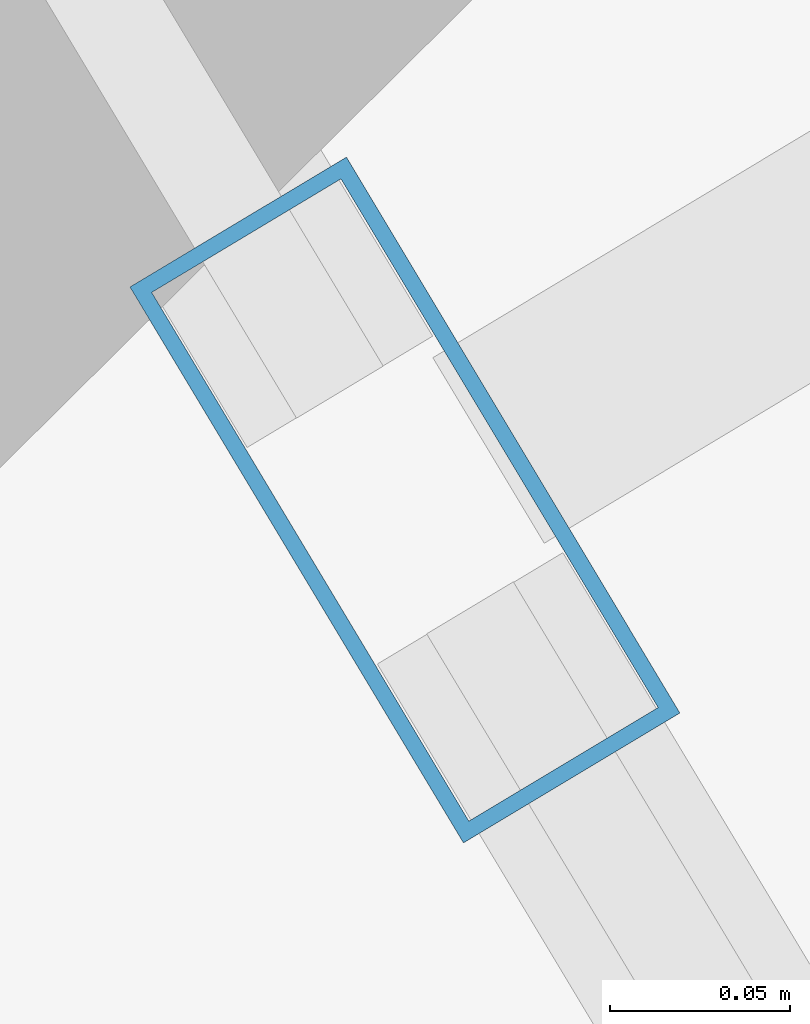
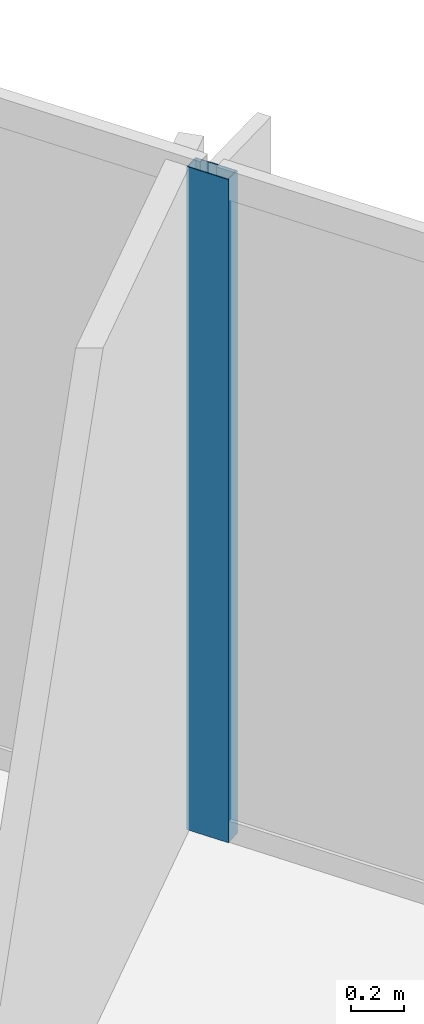
# One storey, part 19 of 35: 1 member, 1 element without a shape of its own.
"""IFC4 building model written with IfcOpenShell, lengths in metres."""

from ifc_helpers import new_model, si_unit, direction, frame, origin, origin_2d, place, context, subcontext, project, spatial, hollow_rectangle, extrude, material, layer, layer_set, material_profile, profile_set, type_object, element, aggregate, save


model = new_model("IFC4")

# Units and contexts
model_context = context("Model", 3, precision=1e-05, world=origin(), true_north=direction((0.0, 1.0)))
body_context = subcontext(model_context, "Body", "Model", "MODEL_VIEW")
ifc_project = project(units=[si_unit("LENGTHUNIT", "METRE"), si_unit("AREAUNIT", "SQUARE_METRE"), si_unit("VOLUMEUNIT", "CUBIC_METRE"), si_unit("PLANEANGLEUNIT", "RADIAN"), si_unit("MASSUNIT", "GRAM", prefix="KILO")], contexts=[model_context])

# Site, building, storey
site_placement = place(None, origin())
site = spatial("IfcSite", under=ifc_project, at=site_placement, CompositionType="ELEMENT")
building_placement = place(site_placement, origin())
building = spatial("IfcBuilding", under=site, at=building_placement, Name="Orvanel Arch Residences", CompositionType="ELEMENT")
storey_placement = place(building_placement, frame((0.0, 0.0, 30.199951171875)))
storey = spatial("IfcBuildingStorey", under=building, at=storey_placement, Name="L07", CompositionType="ELEMENT", Elevation=30.199951171875)

# Curtain wall, member
ifc_material = material(Name="Bronze-anodised aluminium AA6063-T6", Category="aluminium")
ifc_layer = layer(ifc_material, 0.179931640625)
ifc_layer_set = layer_set([ifc_layer], Name="Bronze-anodised aluminium AA6063-T6")
curtain_wall_type = type_object("IfcCurtainWallType", Name="CW2-LOW-SYS", PredefinedType="NOTDEFINED", material=ifc_layer_set)
curtain_wall_placement = place(storey_placement, origin())
curtain_wall = element("IfcCurtainWall", 1, at=curtain_wall_placement, inside=storey, type_object=curtain_wall_type, Name="L07 CW2-LOW-SYS Unitised Curtain Wall", PredefinedType="NOTDEFINED")
ifc_material_profile = material_profile(ifc_material, hollow_rectangle(XDim=0.070068359375, YDim=0.179931640625, WallThickness=0.00439453125, at=origin_2d()), Name="ALU180x70x4.5")
ifc_profile_set = profile_set([ifc_material_profile], Name="Bronze-anodised aluminium AA6063-T6")
member_type = type_object("IfcMemberType", Name="MUL-180x70", PredefinedType="MULLION", material=ifc_profile_set)
member_placement = place(storey_placement, frame((50.449951171875, 30.4794921875, 0.0), z_axis=(0.0, 0.0, 1.0), x_axis=(-0.857540386644, -0.514416645603, 0.0)))
member = element("IfcMember", 2, at=member_placement, type_object=member_type, Name="CW-S2 mullion 2", PredefinedType="MULLION", context=body_context, shape_type="SweptSolid", body=[
    extrude(hollow_rectangle(XDim=0.070068359375, YDim=0.179931640625, WallThickness=0.00439453125, at=origin_2d()), origin(), (0.0, 0.0, 1.0), 3.06005859375),
])
aggregate(curtain_wall, [member])

save(model, "model.ifc")
